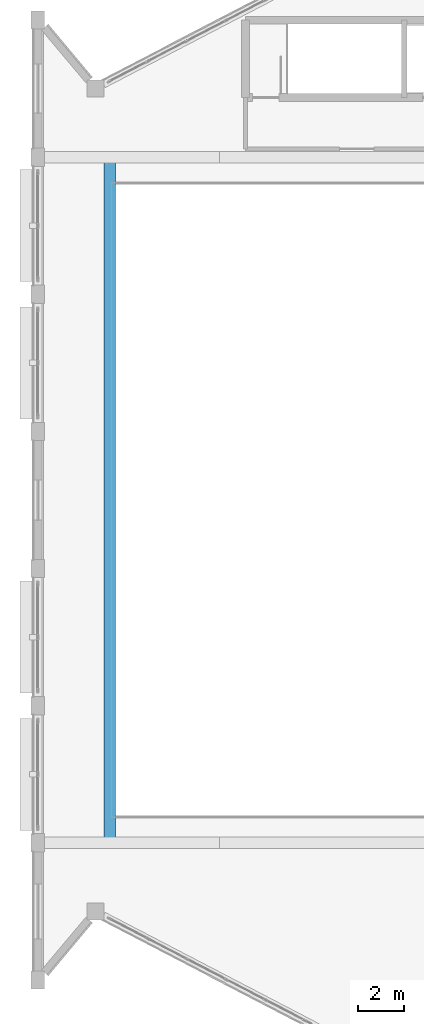
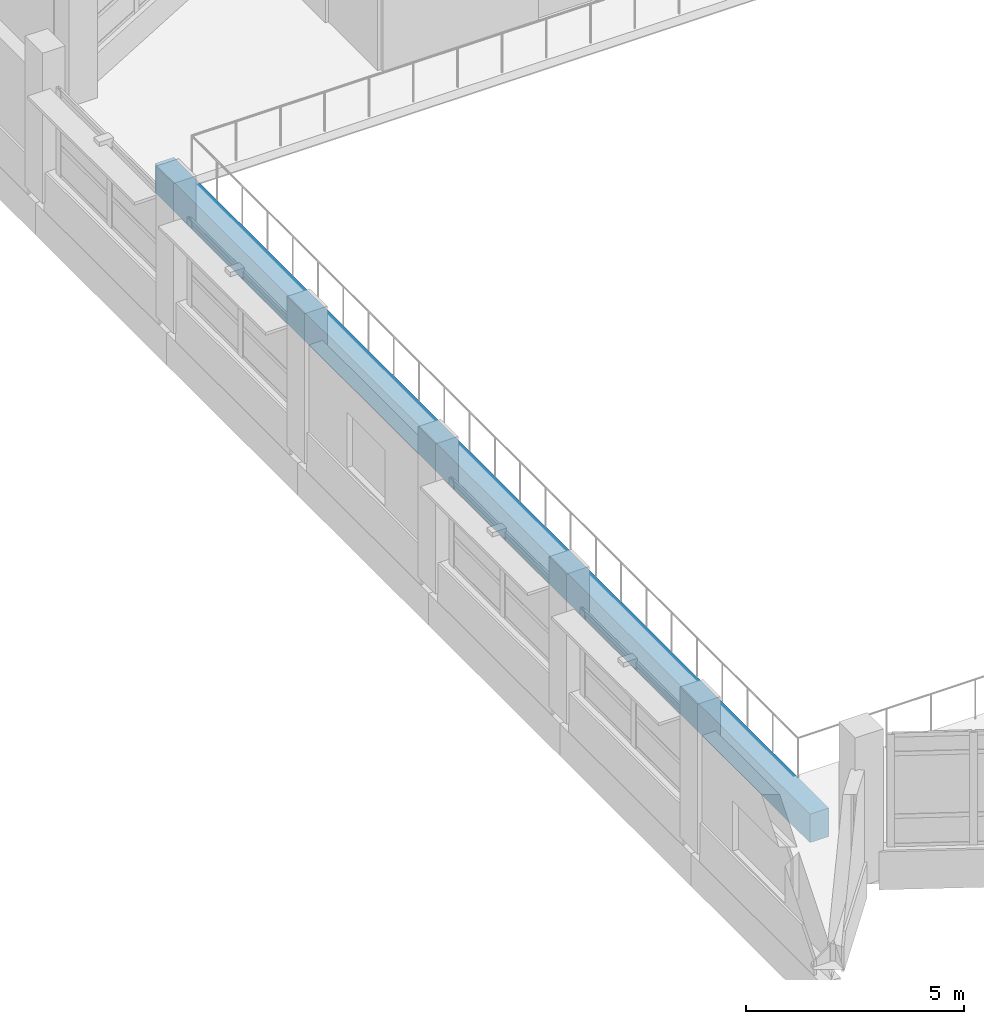
# One storey, part 18 of 128: 1 beam.
"""IFC4 building model written with IfcOpenShell, lengths in metres."""

from ifc_helpers import new_model, si_unit, direction, frame, origin, origin_2d, place, context, subcontext, project, spatial, rectangle, extrude, material, material_profile, profile_set, type_object, element, save


model = new_model("IFC4")

# Units and contexts
model_context = context("Model", 3, precision=1e-05, world=origin(), true_north=direction((0.0, 1.0)))
body_context = subcontext(model_context, "Body", "Model", "MODEL_VIEW")
ifc_project = project(units=[si_unit("LENGTHUNIT", "METRE"), si_unit("AREAUNIT", "SQUARE_METRE"), si_unit("VOLUMEUNIT", "CUBIC_METRE"), si_unit("PLANEANGLEUNIT", "RADIAN"), si_unit("MASSUNIT", "GRAM", prefix="KILO")], contexts=[model_context])

# Site, building, storey
site_placement = place(None, origin())
site = spatial("IfcSite", under=ifc_project, at=site_placement, CompositionType="ELEMENT")
building_placement = place(site_placement, origin())
building = spatial("IfcBuilding", under=site, at=building_placement, Name="Vespera Passage Community Centre", CompositionType="ELEMENT")
storey_placement = place(building_placement, frame((0.0, 0.0, 4.5)))
storey = spatial("IfcBuildingStorey", under=building, at=storey_placement, Name="L01", CompositionType="ELEMENT", Elevation=4.5)

# Beam
ifc_material = material(Name="Concrete f'c 35 MPa", Category="concrete")
ifc_material_profile = material_profile(ifc_material, rectangle(XDim=0.5, YDim=0.800048828125, at=origin_2d()), Name="RC500X800")
ifc_profile_set = profile_set([ifc_material_profile], Name="Concrete f'c 35 MPa")
beam_type = type_object("IfcBeamType", Name="BM-G-500X800", PredefinedType="BEAM", material=ifc_profile_set)
beam_placement = place(storey_placement, frame((7.199951171875, 13.0, -0.639892578125), z_axis=(0.0, 1.0, 0.0), x_axis=(-1.0, 0.0, 0.0)))
element("IfcBeam", 1, at=beam_placement, inside=storey, type_object=beam_type, Name="V1 L01 West Catwalk Edge Girder", PredefinedType="BEAM", context=body_context, shape_type="SweptSolid", body=[
    extrude(rectangle(XDim=0.5, YDim=0.800048828125, at=origin_2d()), origin(), (0.0, 0.0, 1.0), 30.0),
])

save(model, "model.ifc")
